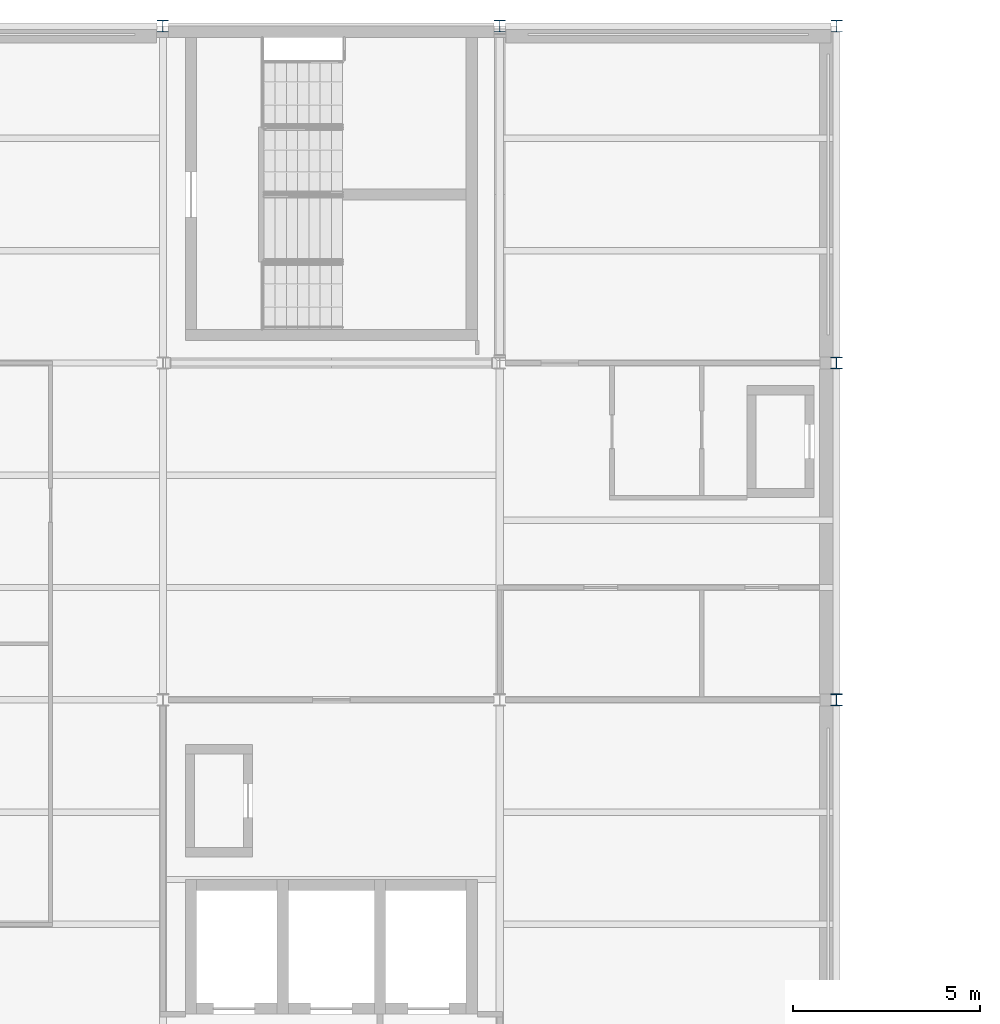
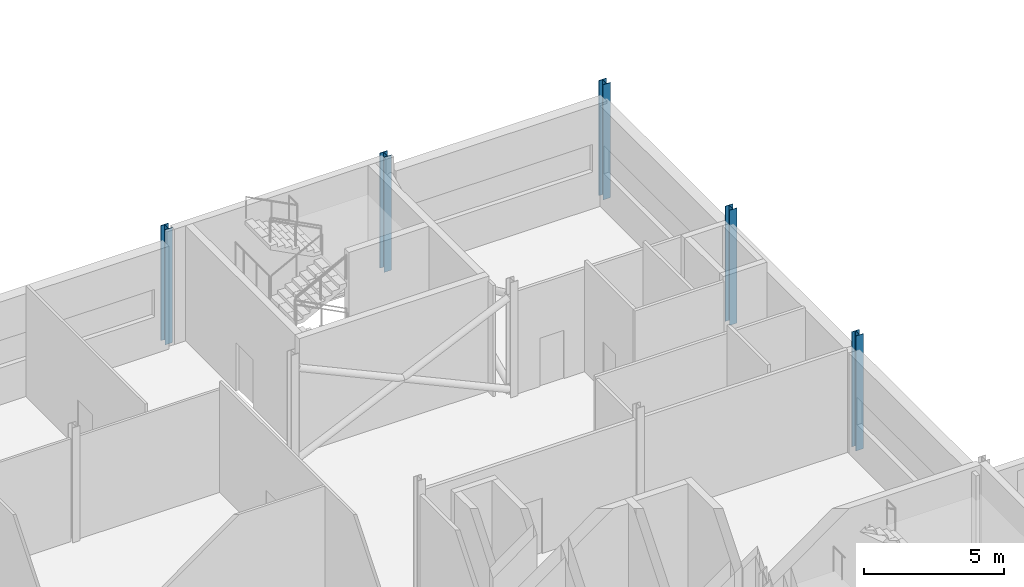
# One storey, part 14 of 115: 5 columns.
"""IFC4 building model written with IfcOpenShell, lengths in metres."""

from ifc_helpers import new_model, si_unit, direction, frame, origin, origin_2d, place, context, subcontext, project, spatial, i_section, extrude, material, material_profile, profile_set, type_object, element, save


model = new_model("IFC4")

# Units and contexts
model_context = context("Model", 3, precision=1e-05, world=origin(), true_north=direction((0.0, 1.0)))
body_context = subcontext(model_context, "Body", "Model", "MODEL_VIEW")
ifc_project = project(units=[si_unit("LENGTHUNIT", "METRE"), si_unit("AREAUNIT", "SQUARE_METRE"), si_unit("VOLUMEUNIT", "CUBIC_METRE"), si_unit("PLANEANGLEUNIT", "RADIAN"), si_unit("MASSUNIT", "GRAM", prefix="KILO")], contexts=[model_context])

# Site, building, storey
site_placement = place(None, origin())
site = spatial("IfcSite", under=ifc_project, at=site_placement, CompositionType="ELEMENT")
building_placement = place(site_placement, origin())
building = spatial("IfcBuilding", under=site, at=building_placement, Name="Shorebreak Coast Museum", CompositionType="ELEMENT")
storey_placement = place(building_placement, frame((0.0, 0.0, 11.0)))
storey = spatial("IfcBuildingStorey", under=building, at=storey_placement, Name="L02", CompositionType="ELEMENT", Elevation=11.0)

# Columns
ifc_material_1 = material(Name="Steel Grade 300", Category="steel")
ifc_material_profile_1 = material_profile(ifc_material_1, i_section(OverallWidth=0.306884765625, OverallDepth=0.314697265625, WebThickness=0.011962890625, FlangeThickness=0.018798828125, FilletRadius=0.0166015625, at=origin_2d()), Name="310UC118")
ifc_profile_set_1 = profile_set([ifc_material_profile_1], Name="Steel Grade 300")
column_type_1 = type_object("IfcColumnType", Name="Column 310UC118", PredefinedType="COLUMN", material=ifc_profile_set_1)
for number, where, z_axis, x_axis, name in (
    (1, (117.0, 99.0, 0.0), (0.0, 0.0, 1.0), (1.0, 0.0, 0.0), "Column L02 14M"),
    (2, (117.0, 108.0, 0.0), (0.0, 0.0, 1.0), (1.0, 0.0, 0.0), "Column L02 14N"),
):
    element("IfcColumn", number, at=place(storey_placement, frame(where, z_axis=z_axis, x_axis=x_axis)), inside=storey, type_object=column_type_1, Name=name, PredefinedType="COLUMN", context=body_context, shape_type="SweptSolid", body=[
        extrude(i_section(OverallWidth=0.306884765625, OverallDepth=0.314697265625, WebThickness=0.011962890625, FlangeThickness=0.018798828125, FilletRadius=0.0166015625, at=origin_2d()), origin(), (0.0, 0.0, 1.0), 5.0),
    ])
ifc_material_2 = material(Name="Steel Grade 300", Category="steel")
ifc_material_profile_2 = material_profile(ifc_material_2, i_section(OverallWidth=0.31103515625, OverallDepth=0.3271484375, WebThickness=0.015625, FlangeThickness=0.02490234375, FilletRadius=0.0166015625, at=origin_2d()), Name="310UC158")
ifc_profile_set_2 = profile_set([ifc_material_profile_2], Name="Steel Grade 300")
column_type_2 = type_object("IfcColumnType", Name="Column 310UC158", PredefinedType="COLUMN", material=ifc_profile_set_2)
for number, where, z_axis, x_axis, name in (
    (3, (99.0, 117.0, 0.0), (0.0, 0.0, 1.0), (1.0, 0.0, 0.0), "Column L02 12P"),
    (4, (108.0, 117.0, 0.0), (0.0, 0.0, 1.0), (1.0, 0.0, 0.0), "Column L02 13P"),
    (5, (117.0, 117.0, 0.0), (0.0, 0.0, 1.0), (1.0, 0.0, 0.0), "Column L02 14P"),
):
    element("IfcColumn", number, at=place(storey_placement, frame(where, z_axis=z_axis, x_axis=x_axis)), inside=storey, type_object=column_type_2, Name=name, PredefinedType="COLUMN", context=body_context, shape_type="SweptSolid", body=[
        extrude(i_section(OverallWidth=0.31103515625, OverallDepth=0.3271484375, WebThickness=0.015625, FlangeThickness=0.02490234375, FilletRadius=0.0166015625, at=origin_2d()), origin(), (0.0, 0.0, 1.0), 5.0),
    ])

save(model, "model.ifc")
